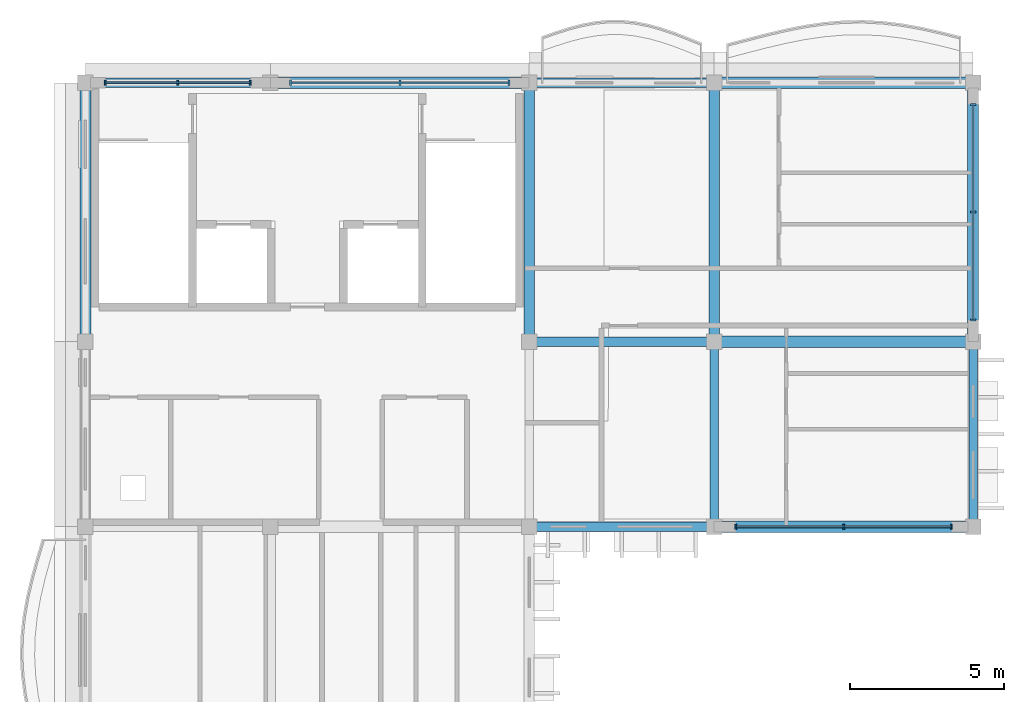
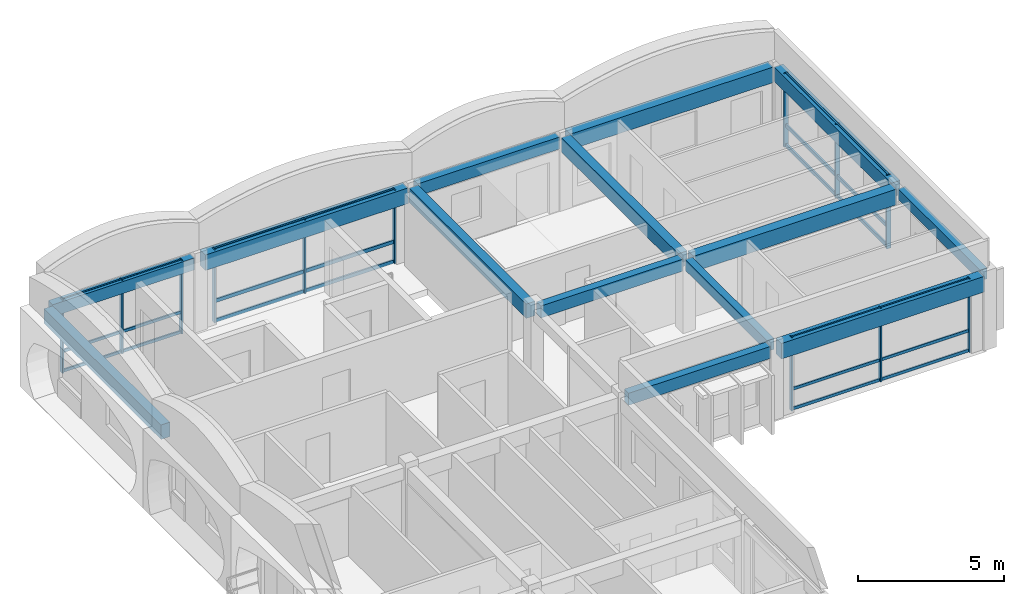
# One storey, part 3 of 12: 24 members, 14 beams, 4 elements without a shape of their own.
"""IFC4 building model written with IfcOpenShell, lengths in metres."""

from ifc_helpers import new_model, si_unit, direction, frame, origin, origin_2d, place, context, subcontext, project, spatial, rectangle, extrude, material, material_profile, profile_set, type_object, element, aggregate, save


model = new_model("IFC4")

# Units and contexts
model_context = context("Model", 3, precision=1e-05, world=origin(), true_north=direction((0.0, 1.0)))
body_context = subcontext(model_context, "Body", "Model", "MODEL_VIEW")
ifc_project = project(units=[si_unit("LENGTHUNIT", "METRE"), si_unit("AREAUNIT", "SQUARE_METRE"), si_unit("VOLUMEUNIT", "CUBIC_METRE"), si_unit("PLANEANGLEUNIT", "RADIAN"), si_unit("MASSUNIT", "GRAM", prefix="KILO"), si_unit("THERMODYNAMICTEMPERATUREUNIT", "KELVIN")], contexts=[model_context])

# Site, building, storey
site_placement = place(None, origin())
site = spatial("IfcSite", under=ifc_project, at=site_placement, CompositionType="ELEMENT")
building_placement = place(site_placement, origin())
building = spatial("IfcBuilding", under=site, at=building_placement, Name="Thalorik Housing Commons", CompositionType="ELEMENT")
storey_placement = place(building_placement, frame((0.0, 0.0, 51.0)))
storey = spatial("IfcBuildingStorey", under=building, at=storey_placement, Name="L15", CompositionType="ELEMENT", Elevation=51.0)

# Curtain wall, members
ifc_material_1 = material(Name="Anodised aluminium and solar-control low-E glass", Category="aluminium")
curtain_wall_type_1 = type_object("IfcCurtainWallType", Name="ARC-CW-LOUNGE", PredefinedType="USERDEFINED", material=ifc_material_1)
curtain_wall_1_placement = place(storey_placement, origin())
curtain_wall_1 = element("IfcCurtainWall", 1, at=curtain_wall_1_placement, inside=storey, type_object=curtain_wall_type_1, Name="L15 Curtain Wall CW-RES-L15-A-064", ObjectType="CURTAIN WALL", PredefinedType="USERDEFINED")
ifc_material_2 = material(Name="Anodised aluminium 6063-T6", Category="aluminium")
ifc_material_profile_1 = material_profile(ifc_material_2, rectangle(XDim=0.06005859375, YDim=0.159912109375, at=origin_2d()), Name="ALU MUL 60x160", Category="aluminium")
ifc_profile_set_1 = profile_set([ifc_material_profile_1], Name="Anodised aluminium 6063-T6")
member_type_1 = type_object("IfcMemberType", Name="ARC-CW-MUL-60x160", PredefinedType="MULLION", material=ifc_profile_set_1)
member_1_placement = place(storey_placement, frame((29.5, 109.199951171875, 0.0), z_axis=(0.0, 0.0, 1.0), x_axis=(1.0, 0.0, 0.0)))
member_1 = element("IfcMember", 2, at=member_1_placement, type_object=member_type_1, Name="CW-RES-L15-A-064 Mullion 1", PredefinedType="MULLION", context=body_context, shape_type="SweptSolid", body=[
    extrude(rectangle(XDim=0.06005859375, YDim=0.159912109375, at=origin_2d()), origin(), (0.0, 0.0, 1.0), 3.06005859375),
])
member_2_placement = place(storey_placement, frame((33.0, 109.199951171875, 0.0), z_axis=(0.0, 0.0, 1.0), x_axis=(1.0, 0.0, 0.0)))
member_2 = element("IfcMember", 3, at=member_2_placement, type_object=member_type_1, Name="CW-RES-L15-A-064 Mullion 2", PredefinedType="MULLION", context=body_context, shape_type="SweptSolid", body=[
    extrude(rectangle(XDim=0.06005859375, YDim=0.159912109375, at=origin_2d()), origin(), (0.0, 0.0, 1.0), 3.06005859375),
])
member_3_placement = place(storey_placement, frame((36.5, 109.199951171875, 0.0), z_axis=(0.0, 0.0, 1.0), x_axis=(1.0, 0.0, 0.0)))
member_3 = element("IfcMember", 4, at=member_3_placement, type_object=member_type_1, Name="CW-RES-L15-A-064 Mullion 3", PredefinedType="MULLION", context=body_context, shape_type="SweptSolid", body=[
    extrude(rectangle(XDim=0.06005859375, YDim=0.159912109375, at=origin_2d()), origin(), (0.0, 0.0, 1.0), 3.06005859375),
])

curtain_wall_type_2 = type_object("IfcCurtainWallType", Name="ARC-CW-CORE", PredefinedType="USERDEFINED", material=ifc_material_1)
curtain_wall_2_placement = place(storey_placement, origin())
curtain_wall_2 = element("IfcCurtainWall", 5, at=curtain_wall_2_placement, inside=storey, type_object=curtain_wall_type_2, Name="L15 Curtain Wall CW-CORE-L15-A-067", ObjectType="CURTAIN WALL", PredefinedType="USERDEFINED")
member_4_placement = place(storey_placement, frame((13.75, 123.60009765625, 0.0), z_axis=(0.0, 0.0, 1.0), x_axis=(-1.0, 0.0, 0.0)))
member_4 = element("IfcMember", 6, at=member_4_placement, type_object=member_type_1, Name="CW-CORE-L15-A-067 Mullion 1", PredefinedType="MULLION", context=body_context, shape_type="SweptSolid", body=[
    extrude(rectangle(XDim=0.06005859375, YDim=0.159912109375, at=origin_2d()), origin(), (0.0, 0.0, 1.0), 3.06005859375),
])
member_5_placement = place(storey_placement, frame((11.39990234375, 123.60009765625, 0.0), z_axis=(0.0, 0.0, 1.0), x_axis=(-1.0, 0.0, 0.0)))
member_5 = element("IfcMember", 7, at=member_5_placement, type_object=member_type_1, Name="CW-CORE-L15-A-067 Mullion 2", PredefinedType="MULLION", context=body_context, shape_type="SweptSolid", body=[
    extrude(rectangle(XDim=0.06005859375, YDim=0.159912109375, at=origin_2d()), origin(), (0.0, 0.0, 1.0), 3.06005859375),
])
member_6_placement = place(storey_placement, frame((9.050048828125, 123.60009765625, 0.0), z_axis=(0.0, 0.0, 1.0), x_axis=(-1.0, 0.0, 0.0)))
member_6 = element("IfcMember", 8, at=member_6_placement, type_object=member_type_1, Name="CW-CORE-L15-A-067 Mullion 3", PredefinedType="MULLION", context=body_context, shape_type="SweptSolid", body=[
    extrude(rectangle(XDim=0.06005859375, YDim=0.159912109375, at=origin_2d()), origin(), (0.0, 0.0, 1.0), 3.06005859375),
])

curtain_wall_3_placement = place(storey_placement, origin())
curtain_wall_3 = element("IfcCurtainWall", 9, at=curtain_wall_3_placement, inside=storey, type_object=curtain_wall_type_1, Name="L15 Curtain Wall CW-RES-L15-A-065", ObjectType="CURTAIN WALL", PredefinedType="USERDEFINED")
ifc_material_profile_2 = material_profile(ifc_material_2, rectangle(XDim=0.06494140625, YDim=0.179931640625, at=origin_2d()), Name="ALU MUL 65x180", Category="aluminium")
ifc_profile_set_2 = profile_set([ifc_material_profile_2], Name="Anodised aluminium 6063-T6")
member_type_2 = type_object("IfcMemberType", Name="ARC-CW-MUL-65x180", PredefinedType="MULLION", material=ifc_profile_set_2)
member_7_placement = place(storey_placement, frame((37.199951171875, 115.89990234375, 0.0), z_axis=(0.0, 0.0, 1.0), x_axis=(0.0, 1.0, 0.0)))
member_7 = element("IfcMember", 10, at=member_7_placement, type_object=member_type_2, Name="CW-RES-L15-A-065 Mullion 1", PredefinedType="MULLION", context=body_context, shape_type="SweptSolid", body=[
    extrude(rectangle(XDim=0.06494140625, YDim=0.179931640625, at=origin_2d()), origin(), (0.0, 0.0, 1.0), 3.06005859375),
])
member_8_placement = place(storey_placement, frame((37.199951171875, 119.39990234375, 0.0), z_axis=(0.0, 0.0, 1.0), x_axis=(0.0, 1.0, 0.0)))
member_8 = element("IfcMember", 11, at=member_8_placement, type_object=member_type_2, Name="CW-RES-L15-A-065 Mullion 2", PredefinedType="MULLION", context=body_context, shape_type="SweptSolid", body=[
    extrude(rectangle(XDim=0.06494140625, YDim=0.179931640625, at=origin_2d()), origin(), (0.0, 0.0, 1.0), 3.06005859375),
])
member_9_placement = place(storey_placement, frame((37.199951171875, 122.89990234375, 0.0), z_axis=(0.0, 0.0, 1.0), x_axis=(0.0, 1.0, 0.0)))
member_9 = element("IfcMember", 12, at=member_9_placement, type_object=member_type_2, Name="CW-RES-L15-A-065 Mullion 3", PredefinedType="MULLION", context=body_context, shape_type="SweptSolid", body=[
    extrude(rectangle(XDim=0.06494140625, YDim=0.179931640625, at=origin_2d()), origin(), (0.0, 0.0, 1.0), 3.06005859375),
])

curtain_wall_4_placement = place(storey_placement, origin())
curtain_wall_4 = element("IfcCurtainWall", 13, at=curtain_wall_4_placement, inside=storey, type_object=curtain_wall_type_2, Name="L15 Curtain Wall CW-CORE-L15-A-066", ObjectType="CURTAIN WALL", PredefinedType="USERDEFINED")
member_10_placement = place(storey_placement, frame((22.14990234375, 123.60009765625, 0.0), z_axis=(0.0, 0.0, 1.0), x_axis=(-1.0, 0.0, 0.0)))
member_10 = element("IfcMember", 14, at=member_10_placement, type_object=member_type_2, Name="CW-CORE-L15-A-066 Mullion 1", PredefinedType="MULLION", context=body_context, shape_type="SweptSolid", body=[
    extrude(rectangle(XDim=0.06494140625, YDim=0.179931640625, at=origin_2d()), origin(), (0.0, 0.0, 1.0), 3.06005859375),
])
member_11_placement = place(storey_placement, frame((18.60009765625, 123.60009765625, 0.0), z_axis=(0.0, 0.0, 1.0), x_axis=(-1.0, 0.0, 0.0)))
member_11 = element("IfcMember", 15, at=member_11_placement, type_object=member_type_2, Name="CW-CORE-L15-A-066 Mullion 2", PredefinedType="MULLION", context=body_context, shape_type="SweptSolid", body=[
    extrude(rectangle(XDim=0.06494140625, YDim=0.179931640625, at=origin_2d()), origin(), (0.0, 0.0, 1.0), 3.06005859375),
])
member_12_placement = place(storey_placement, frame((15.050048828125, 123.60009765625, 0.0), z_axis=(0.0, 0.0, 1.0), x_axis=(-1.0, 0.0, 0.0)))
member_12 = element("IfcMember", 16, at=member_12_placement, type_object=member_type_2, Name="CW-CORE-L15-A-066 Mullion 3", PredefinedType="MULLION", context=body_context, shape_type="SweptSolid", body=[
    extrude(rectangle(XDim=0.06494140625, YDim=0.179931640625, at=origin_2d()), origin(), (0.0, 0.0, 1.0), 3.06005859375),
])

# Member
ifc_material_profile_3 = material_profile(ifc_material_2, rectangle(XDim=0.06005859375, YDim=0.1201171875, at=origin_2d()), Name="ALU TRN 60x120", Category="aluminium")
ifc_profile_set_3 = profile_set([ifc_material_profile_3], Name="Anodised aluminium 6063-T6")
member_type_3 = type_object("IfcMemberType", Name="ARC-CW-TRN-60x120", PredefinedType="USERDEFINED", material=ifc_profile_set_3)
member_13_placement = place(storey_placement, frame((29.5, 109.199951171875, 0.054931640625), z_axis=(1.0, 0.0, 0.0), x_axis=(0.0, 1.0, 0.0)))
member_13 = element("IfcMember", 17, at=member_13_placement, type_object=member_type_3, Name="CW-RES-L15-A-064 Transom 1", ObjectType="TRANSOM", PredefinedType="USERDEFINED", context=body_context, shape_type="SweptSolid", body=[
    extrude(rectangle(XDim=0.06005859375, YDim=0.1201171875, at=origin_2d()), origin(), (0.0, 0.0, 1.0), 7.0),
])

member_14_placement = place(storey_placement, frame((29.5, 109.199951171875, 0.8798828125), z_axis=(1.0, 0.0, 0.0), x_axis=(0.0, 1.0, 0.0)))
member_14 = element("IfcMember", 18, at=member_14_placement, type_object=member_type_3, Name="CW-RES-L15-A-064 Transom 2", ObjectType="TRANSOM", PredefinedType="USERDEFINED", context=body_context, shape_type="SweptSolid", body=[
    extrude(rectangle(XDim=0.06005859375, YDim=0.1201171875, at=origin_2d()), origin(), (0.0, 0.0, 1.0), 7.0),
])

member_15_placement = place(storey_placement, frame((29.5, 109.199951171875, 3.0048828125), z_axis=(1.0, 0.0, 0.0), x_axis=(0.0, 1.0, 0.0)))
member_15 = element("IfcMember", 19, at=member_15_placement, type_object=member_type_3, Name="CW-RES-L15-A-064 Transom 3", ObjectType="TRANSOM", PredefinedType="USERDEFINED", context=body_context, shape_type="SweptSolid", body=[
    extrude(rectangle(XDim=0.06005859375, YDim=0.1201171875, at=origin_2d()), origin(), (0.0, 0.0, 1.0), 7.0),
])

aggregate(curtain_wall_1, [member_1, member_2, member_3, member_13, member_14, member_15])

member_16_placement = place(storey_placement, frame((13.75, 123.60009765625, 0.054931640625), z_axis=(-1.0, 0.0, 0.0), x_axis=(0.0, -1.0, 0.0)))
member_16 = element("IfcMember", 20, at=member_16_placement, type_object=member_type_3, Name="CW-CORE-L15-A-067 Transom 1", ObjectType="TRANSOM", PredefinedType="USERDEFINED", context=body_context, shape_type="SweptSolid", body=[
    extrude(rectangle(XDim=0.06005859375, YDim=0.1201171875, at=origin_2d()), origin(), (0.0, 0.0, 1.0), 4.699951171875),
])

member_17_placement = place(storey_placement, frame((13.75, 123.60009765625, 0.8798828125), z_axis=(-1.0, 0.0, 0.0), x_axis=(0.0, -1.0, 0.0)))
member_17 = element("IfcMember", 21, at=member_17_placement, type_object=member_type_3, Name="CW-CORE-L15-A-067 Transom 2", ObjectType="TRANSOM", PredefinedType="USERDEFINED", context=body_context, shape_type="SweptSolid", body=[
    extrude(rectangle(XDim=0.06005859375, YDim=0.1201171875, at=origin_2d()), origin(), (0.0, 0.0, 1.0), 4.699951171875),
])

member_18_placement = place(storey_placement, frame((13.75, 123.60009765625, 3.0048828125), z_axis=(-1.0, 0.0, 0.0), x_axis=(0.0, -1.0, 0.0)))
member_18 = element("IfcMember", 22, at=member_18_placement, type_object=member_type_3, Name="CW-CORE-L15-A-067 Transom 3", ObjectType="TRANSOM", PredefinedType="USERDEFINED", context=body_context, shape_type="SweptSolid", body=[
    extrude(rectangle(XDim=0.06005859375, YDim=0.1201171875, at=origin_2d()), origin(), (0.0, 0.0, 1.0), 4.699951171875),
])

aggregate(curtain_wall_2, [member_4, member_5, member_6, member_16, member_17, member_18])

ifc_material_profile_4 = material_profile(ifc_material_2, rectangle(XDim=0.06494140625, YDim=0.14990234375, at=origin_2d()), Name="ALU TRN 65x150", Category="aluminium")
ifc_profile_set_4 = profile_set([ifc_material_profile_4], Name="Anodised aluminium 6063-T6")
member_type_4 = type_object("IfcMemberType", Name="ARC-CW-TRN-65x150", PredefinedType="USERDEFINED", material=ifc_profile_set_4)
member_19_placement = place(storey_placement, frame((37.199951171875, 115.89990234375, 0.054931640625), z_axis=(0.0, 1.0, 0.0), x_axis=(-1.0, 0.0, 0.0)))
member_19 = element("IfcMember", 23, at=member_19_placement, type_object=member_type_4, Name="CW-RES-L15-A-065 Transom 1", ObjectType="TRANSOM", PredefinedType="USERDEFINED", context=body_context, shape_type="SweptSolid", body=[
    extrude(rectangle(XDim=0.06494140625, YDim=0.14990234375, at=origin_2d()), origin(), (0.0, 0.0, 1.0), 7.0),
])

member_20_placement = place(storey_placement, frame((37.199951171875, 115.89990234375, 0.8798828125), z_axis=(0.0, 1.0, 0.0), x_axis=(-1.0, 0.0, 0.0)))
member_20 = element("IfcMember", 24, at=member_20_placement, type_object=member_type_4, Name="CW-RES-L15-A-065 Transom 2", ObjectType="TRANSOM", PredefinedType="USERDEFINED", context=body_context, shape_type="SweptSolid", body=[
    extrude(rectangle(XDim=0.06494140625, YDim=0.14990234375, at=origin_2d()), origin(), (0.0, 0.0, 1.0), 7.0),
])

member_21_placement = place(storey_placement, frame((37.199951171875, 115.89990234375, 3.0048828125), z_axis=(0.0, 1.0, 0.0), x_axis=(-1.0, 0.0, 0.0)))
member_21 = element("IfcMember", 25, at=member_21_placement, type_object=member_type_4, Name="CW-RES-L15-A-065 Transom 3", ObjectType="TRANSOM", PredefinedType="USERDEFINED", context=body_context, shape_type="SweptSolid", body=[
    extrude(rectangle(XDim=0.06494140625, YDim=0.14990234375, at=origin_2d()), origin(), (0.0, 0.0, 1.0), 7.0),
])

aggregate(curtain_wall_3, [member_7, member_8, member_9, member_19, member_20, member_21])

member_22_placement = place(storey_placement, frame((22.14990234375, 123.60009765625, 0.054931640625), z_axis=(-1.0, 0.0, 0.0), x_axis=(0.0, -1.0, 0.0)))
member_22 = element("IfcMember", 26, at=member_22_placement, type_object=member_type_4, Name="CW-CORE-L15-A-066 Transom 1", ObjectType="TRANSOM", PredefinedType="USERDEFINED", context=body_context, shape_type="SweptSolid", body=[
    extrude(rectangle(XDim=0.06494140625, YDim=0.14990234375, at=origin_2d()), origin(), (0.0, 0.0, 1.0), 7.099853515625),
])

member_23_placement = place(storey_placement, frame((22.14990234375, 123.60009765625, 0.8798828125), z_axis=(-1.0, 0.0, 0.0), x_axis=(0.0, -1.0, 0.0)))
member_23 = element("IfcMember", 27, at=member_23_placement, type_object=member_type_4, Name="CW-CORE-L15-A-066 Transom 2", ObjectType="TRANSOM", PredefinedType="USERDEFINED", context=body_context, shape_type="SweptSolid", body=[
    extrude(rectangle(XDim=0.06494140625, YDim=0.14990234375, at=origin_2d()), origin(), (0.0, 0.0, 1.0), 7.099853515625),
])

member_24_placement = place(storey_placement, frame((22.14990234375, 123.60009765625, 3.0048828125), z_axis=(-1.0, 0.0, 0.0), x_axis=(0.0, -1.0, 0.0)))
member_24 = element("IfcMember", 28, at=member_24_placement, type_object=member_type_4, Name="CW-CORE-L15-A-066 Transom 3", ObjectType="TRANSOM", PredefinedType="USERDEFINED", context=body_context, shape_type="SweptSolid", body=[
    extrude(rectangle(XDim=0.06494140625, YDim=0.14990234375, at=origin_2d()), origin(), (0.0, 0.0, 1.0), 7.099853515625),
])

aggregate(curtain_wall_4, [member_10, member_11, member_12, member_22, member_23, member_24])

# Beams
ifc_material_3 = material(Name="Precast concrete C40/50", Category="concrete")
ifc_material_profile_5 = material_profile(ifc_material_3, rectangle(XDim=0.280029296875, YDim=0.449951171875, at=origin_2d()), Name="PC 280x450", Category="concrete")
ifc_profile_set_5 = profile_set([ifc_material_profile_5], Name="Precast concrete C40/50")
beam_type_1 = type_object("IfcBeamType", Name="STR-BM-PC280x450", PredefinedType="BEAM", material=ifc_profile_set_5)
for number, where, z_axis, x_axis, name in (
    (29, (28.800048828125, 109.39990234375, 2.8349609375), (0.0, 1.0, 0.0), (-1.0, 0.0, 0.0), "L15 Beam B-450"),
    (30, (37.199951171875, 109.39990234375, 2.8349609375), (0.0, 1.0, 0.0), (-1.0, 0.0, 0.0), "L15 Beam B-450"),
):
    element("IfcBeam", number, at=place(storey_placement, frame(where, z_axis=z_axis, x_axis=x_axis)), inside=storey, type_object=beam_type_1, Name=name, PredefinedType="BEAM", context=body_context, shape_type="SweptSolid", body=[
        extrude(rectangle(XDim=0.280029296875, YDim=0.449951171875, at=origin_2d()), origin(), (0.0, 0.0, 1.0), 5.60009765625),
    ])
ifc_material_profile_6 = material_profile(ifc_material_3, rectangle(XDim=0.300048828125, YDim=0.5, at=origin_2d()), Name="PC 300x500", Category="concrete")
ifc_profile_set_6 = profile_set([ifc_material_profile_6], Name="Precast concrete C40/50")
beam_type_2 = type_object("IfcBeamType", Name="STR-BM-PC300x500", PredefinedType="BEAM", material=ifc_profile_set_6)
for number, where, z_axis, x_axis, name in (
    (31, (23.0, 109.199951171875, 2.81005859375), (1.0, 0.0, 0.0), (0.0, 1.0, 0.0), "L15 Beam B-500"),
    (32, (23.0, 115.199951171875, 2.81005859375), (1.0, 0.0, 0.0), (0.0, 1.0, 0.0), "L15 Beam B-500"),
):
    element("IfcBeam", number, at=place(storey_placement, frame(where, z_axis=z_axis, x_axis=x_axis)), inside=storey, type_object=beam_type_2, Name=name, PredefinedType="BEAM", context=body_context, shape_type="SweptSolid", body=[
        extrude(rectangle(XDim=0.300048828125, YDim=0.5, at=origin_2d()), origin(), (0.0, 0.0, 1.0), 5.60009765625),
    ])
beam_1_placement = place(storey_placement, frame((8.60009765625, 123.60009765625, 2.81005859375), z_axis=(1.0, 0.0, 0.0), x_axis=(0.0, 1.0, 0.0)))
element("IfcBeam", 33, at=beam_1_placement, inside=storey, type_object=beam_type_2, Name="L15 Beam B-500", PredefinedType="BEAM", context=body_context, shape_type="SweptSolid", body=[
    extrude(rectangle(XDim=0.300048828125, YDim=0.5, at=origin_2d()), origin(), (0.0, 0.0, 1.0), 5.599853515625),
])
beam_2_placement = place(storey_placement, frame((23.0, 123.60009765625, 2.81005859375), z_axis=(1.0, 0.0, 0.0), x_axis=(0.0, 1.0, 0.0)))
element("IfcBeam", 34, at=beam_2_placement, inside=storey, type_object=beam_type_2, Name="L15 Beam B-500", PredefinedType="BEAM", context=body_context, shape_type="SweptSolid", body=[
    extrude(rectangle(XDim=0.300048828125, YDim=0.5, at=origin_2d()), origin(), (0.0, 0.0, 1.0), 5.60009765625),
])
ifc_material_profile_7 = material_profile(ifc_material_3, rectangle(XDim=0.35009765625, YDim=0.60009765625, at=origin_2d()), Name="PC 350x600", Category="concrete")
ifc_profile_set_7 = profile_set([ifc_material_profile_7], Name="Precast concrete C40/50")
beam_type_3 = type_object("IfcBeamType", Name="STR-BM-PC350x600", PredefinedType="BEAM", material=ifc_profile_set_7)
for number, where, z_axis, x_axis, name in (
    (35, (8.39990234375, 115.39990234375, 2.760009765625), (0.0, 1.0, 0.0), (-1.0, 0.0, 0.0), "L15 Beam B-600"),
    (36, (22.800048828125, 115.39990234375, 2.760009765625), (0.0, 1.0, 0.0), (-1.0, 0.0, 0.0), "L15 Beam B-600"),
    (37, (28.800048828125, 115.39990234375, 2.760009765625), (0.0, 1.0, 0.0), (-1.0, 0.0, 0.0), "L15 Beam B-600"),
    (38, (37.199951171875, 115.39990234375, 2.760009765625), (0.0, 1.0, 0.0), (-1.0, 0.0, 0.0), "L15 Beam B-600"),
):
    element("IfcBeam", number, at=place(storey_placement, frame(where, z_axis=z_axis, x_axis=x_axis)), inside=storey, type_object=beam_type_3, Name=name, PredefinedType="BEAM", context=body_context, shape_type="SweptSolid", body=[
        extrude(rectangle(XDim=0.35009765625, YDim=0.60009765625, at=origin_2d()), origin(), (0.0, 0.0, 1.0), 8.0),
    ])
ifc_material_profile_8 = material_profile(ifc_material_3, rectangle(XDim=0.3798828125, YDim=0.64990234375, at=origin_2d()), Name="PC 380x650", Category="concrete")
ifc_profile_set_8 = profile_set([ifc_material_profile_8], Name="Precast concrete C40/50")
beam_type_4 = type_object("IfcBeamType", Name="STR-BM-PC380x650", PredefinedType="BEAM", material=ifc_profile_set_8)
for number, where, z_axis, x_axis, name in (
    (39, (29.0, 109.199951171875, 2.735107421875), (1.0, 0.0, 0.0), (0.0, 1.0, 0.0), "L15 Beam B-650"),
    (40, (29.0, 115.199951171875, 2.735107421875), (1.0, 0.0, 0.0), (0.0, 1.0, 0.0), "L15 Beam B-650"),
    (41, (14.60009765625, 123.60009765625, 2.735107421875), (1.0, 0.0, 0.0), (0.0, 1.0, 0.0), "L15 Beam B-650"),
    (42, (29.0, 123.60009765625, 2.735107421875), (1.0, 0.0, 0.0), (0.0, 1.0, 0.0), "L15 Beam B-650"),
):
    element("IfcBeam", number, at=place(storey_placement, frame(where, z_axis=z_axis, x_axis=x_axis)), inside=storey, type_object=beam_type_4, Name=name, PredefinedType="BEAM", context=body_context, shape_type="SweptSolid", body=[
        extrude(rectangle(XDim=0.3798828125, YDim=0.64990234375, at=origin_2d()), origin(), (0.0, 0.0, 1.0), 8.0),
    ])

save(model, "model.ifc")
